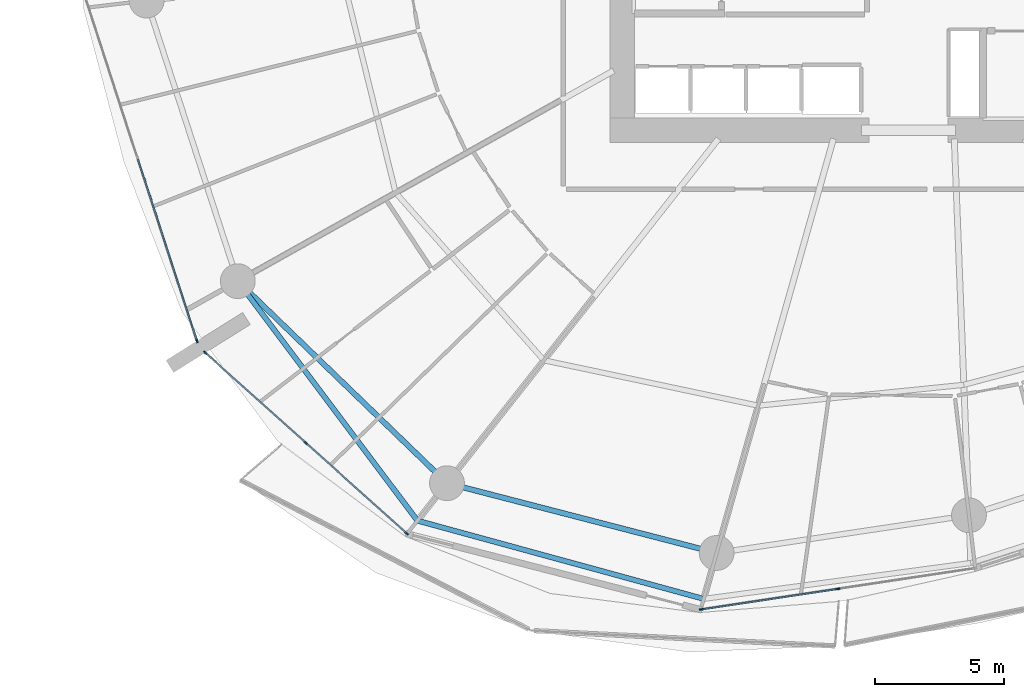
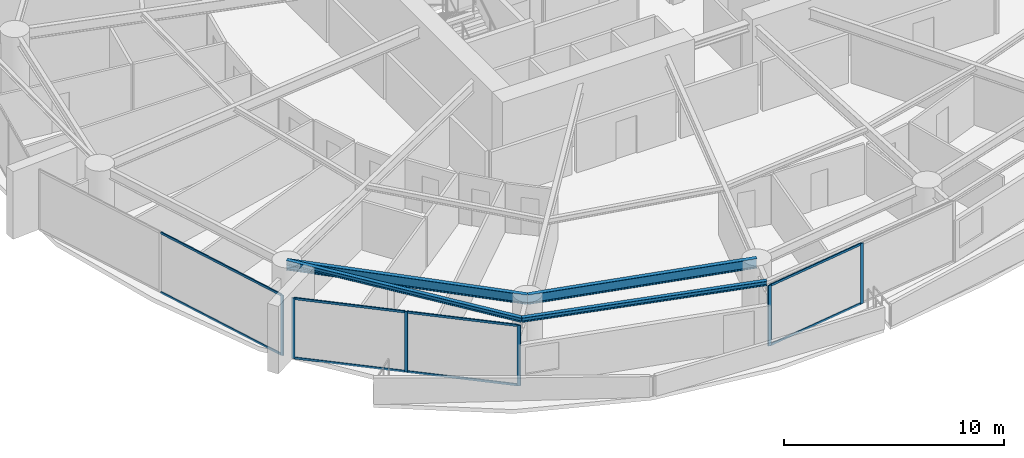
# One storey, part 6 of 31: 14 members, 4 beams, 3 elements without a shape of their own.
"""IFC4 building model written with IfcOpenShell, lengths in metres."""

from ifc_helpers import new_model, si_unit, direction, frame, origin, origin_2d, place, context, subcontext, project, spatial, rectangle, i_section, extrude, material, layer, layer_set, material_profile, profile_set, type_object, element, aggregate, save


model = new_model("IFC4")

# Units and contexts
model_context = context("Model", 3, precision=1e-05, world=origin(), true_north=direction((0.0, 1.0)))
body_context = subcontext(model_context, "Body", "Model", "MODEL_VIEW")
ifc_project = project(units=[si_unit("LENGTHUNIT", "METRE"), si_unit("AREAUNIT", "SQUARE_METRE"), si_unit("VOLUMEUNIT", "CUBIC_METRE"), si_unit("PLANEANGLEUNIT", "RADIAN"), si_unit("MASSUNIT", "GRAM", prefix="KILO")], contexts=[model_context])

# Site, building, storey
site_placement = place(None, origin())
site = spatial("IfcSite", under=ifc_project, at=site_placement, CompositionType="ELEMENT")
building_placement = place(site_placement, origin())
building = spatial("IfcBuilding", under=site, at=building_placement, Name="Kazma Halo Residences", CompositionType="ELEMENT")
storey_placement = place(building_placement, frame((0.0, 0.0, 67.64990234375)))
storey = spatial("IfcBuildingStorey", under=building, at=storey_placement, Name="L16", CompositionType="ELEMENT", Elevation=67.64990234375)

# Beams
ifc_material_1 = material(Name="Steel S355", Category="steel")
ifc_material_profile_1 = material_profile(ifc_material_1, i_section(OverallWidth=0.201904296875, OverallDepth=0.2470703125, WebThickness=0.00732421875, FlangeThickness=0.010986328125, FilletRadius=0.011962890625, at=origin_2d()), Name="W250x49.1")
ifc_profile_set_1 = profile_set([ifc_material_profile_1], Name="Steel S355")
beam_type_1 = type_object("IfcBeamType", Name="BM-BAL-CANT", PredefinedType="BEAM", material=ifc_profile_set_1)
beam_1_placement = place(storey_placement, frame((22.43505859375, 27.682861328125, 3.2265625), z_axis=(0.600026935007, -0.799979798037, 0.0), x_axis=(0.799979798037, 0.600026935007, 0.0)))
element("IfcBeam", 1, at=beam_1_placement, inside=storey, type_object=beam_type_1, Name="L16 wave-balcony lead tie beam 09", PredefinedType="BEAM", context=body_context, shape_type="SweptSolid", body=[
    extrude(i_section(OverallWidth=0.201904296875, OverallDepth=0.2470703125, WebThickness=0.00732421875, FlangeThickness=0.010986328125, FilletRadius=0.011962890625, at=origin_2d()), origin(), (0.0, 0.0, 1.0), 11.601806640625),
])
beam_2_placement = place(storey_placement, frame((29.396484375, 18.401611328125, 3.2265625), z_axis=(0.964628474934, -0.263613173697, 0.0), x_axis=(0.263613173697, 0.964628474934, 0.0)))
element("IfcBeam", 2, at=beam_2_placement, inside=storey, type_object=beam_type_1, Name="L16 wave-balcony tie beam 10", PredefinedType="BEAM", context=body_context, shape_type="SweptSolid", body=[
    extrude(i_section(OverallWidth=0.201904296875, OverallDepth=0.2470703125, WebThickness=0.00732421875, FlangeThickness=0.010986328125, FilletRadius=0.011962890625, at=origin_2d()), origin(), (0.0, 0.0, 1.0), 11.499755859375),
])
ifc_material_profile_2 = material_profile(ifc_material_1, i_section(OverallWidth=0.208984375, OverallDepth=0.532958984375, WebThickness=0.01025390625, FlangeThickness=0.015625, FilletRadius=0.01611328125, at=origin_2d()), Name="W530x92")
ifc_profile_set_2 = profile_set([ifc_material_profile_2], Name="Steel S355")
beam_type_2 = type_object("IfcBeamType", Name="BM-SPN-W530", PredefinedType="BEAM", material=ifc_profile_set_2)
beam_3_placement = place(storey_placement, frame((22.43505859375, 27.682861328125, 3.08349609375), z_axis=(0.719336506967, -0.694661780829, 0.0), x_axis=(0.694661780829, 0.719336506967, 0.0)))
element("IfcBeam", 3, at=beam_3_placement, inside=storey, type_object=beam_type_2, Name="L16 perimeter ring beam 09", PredefinedType="BEAM", context=body_context, shape_type="SweptSolid", body=[
    extrude(i_section(OverallWidth=0.208984375, OverallDepth=0.532958984375, WebThickness=0.01025390625, FlangeThickness=0.015625, FilletRadius=0.01611328125, at=origin_2d()), origin(), (0.0, 0.0, 1.0), 11.269775390625),
])
beam_4_placement = place(storey_placement, frame((30.541748046875, 19.854248046875, 3.08349609375), z_axis=(0.968123558238, -0.250473104313, 0.0), x_axis=(0.250473104313, 0.968123558238, 0.0)))
element("IfcBeam", 4, at=beam_4_placement, inside=storey, type_object=beam_type_2, Name="L16 perimeter ring beam 10", PredefinedType="BEAM", context=body_context, shape_type="SweptSolid", body=[
    extrude(i_section(OverallWidth=0.208984375, OverallDepth=0.532958984375, WebThickness=0.01025390625, FlangeThickness=0.015625, FilletRadius=0.01611328125, at=origin_2d()), origin(), (0.0, 0.0, 1.0), 10.7939453125),
])

# Curtain wall, member
ifc_material_2 = material(Name="Aluminium AW-6063 T6 and Triple-Silver Low-E Glass", Category="aluminium")
ifc_layer = layer(ifc_material_2, 0.159912109375)
ifc_layer_set = layer_set([ifc_layer], Name="Aluminium AW-6063 T6 and Triple-Silver Low-E Glass")
curtain_wall_type = type_object("IfcCurtainWallType", Name="CW-SYS-2", PredefinedType="NOTDEFINED", material=ifc_layer_set)
curtain_wall_1_placement = place(storey_placement, origin())
curtain_wall_1 = element("IfcCurtainWall", 5, at=curtain_wall_1_placement, inside=storey, type_object=curtain_wall_type, Name="L16 unitised curtain wall B08", PredefinedType="NOTDEFINED")
ifc_material_3 = material(Name="Aluminium AW-6063 T6", Category="aluminium")
ifc_material_profile_3 = material_profile(ifc_material_3, rectangle(XDim=0.06005859375, YDim=0.159912109375, at=origin_2d()), Name="CWM-60x160")
ifc_profile_set_3 = profile_set([ifc_material_profile_3], Name="Aluminium AW-6063 T6")
member_type_1 = type_object("IfcMemberType", Name="CW-SYS-2-MUL", PredefinedType="MULLION", material=ifc_profile_set_3)
member_1_placement = place(storey_placement, frame((20.854248046875, 25.36669921875, 0.0), z_axis=(0.0, 0.0, 1.0), x_axis=(0.95105652404, 0.309016970539, 0.0)))
member_1 = element("IfcMember", 6, at=member_1_placement, type_object=member_type_1, Name="CWS-2 mullion 3", PredefinedType="MULLION", context=body_context, shape_type="SweptSolid", body=[
    extrude(rectangle(XDim=0.06005859375, YDim=0.159912109375, at=origin_2d()), origin(), (0.0, 0.0, 1.0), 3.35009765625),
])

# Curtain wall, members
curtain_wall_2_placement = place(storey_placement, origin())
curtain_wall_2 = element("IfcCurtainWall", 7, at=curtain_wall_2_placement, inside=storey, type_object=curtain_wall_type, Name="L16 unitised curtain wall B09", PredefinedType="NOTDEFINED")
member_2_placement = place(storey_placement, frame((21.17333984375, 24.908203125, 0.0), z_axis=(0.0, 0.0, 1.0), x_axis=(0.667821453854, 0.744321506993, 0.0)))
member_2 = element("IfcMember", 8, at=member_2_placement, type_object=member_type_1, Name="CWS-2 mullion 1", PredefinedType="MULLION", context=body_context, shape_type="SweptSolid", body=[
    extrude(rectangle(XDim=0.06005859375, YDim=0.159912109375, at=origin_2d()), origin(), (0.0, 0.0, 1.0), 3.35009765625),
])
member_3_placement = place(storey_placement, frame((25.07275390625, 21.409912109375, 0.0), z_axis=(0.0, 0.0, 1.0), x_axis=(0.667821453854, 0.744321506993, 0.0)))
member_3 = element("IfcMember", 9, at=member_3_placement, type_object=member_type_1, Name="CWS-2 mullion 2", PredefinedType="MULLION", context=body_context, shape_type="SweptSolid", body=[
    extrude(rectangle(XDim=0.06005859375, YDim=0.159912109375, at=origin_2d()), origin(), (0.0, 0.0, 1.0), 3.35009765625),
])
member_4_placement = place(storey_placement, frame((28.971923828125, 17.911376953125, 0.0), z_axis=(0.0, 0.0, 1.0), x_axis=(0.667821453854, 0.744321506993, 0.0)))
member_4 = element("IfcMember", 10, at=member_4_placement, type_object=member_type_1, Name="CWS-2 mullion 3", PredefinedType="MULLION", context=body_context, shape_type="SweptSolid", body=[
    extrude(rectangle(XDim=0.06005859375, YDim=0.159912109375, at=origin_2d()), origin(), (0.0, 0.0, 1.0), 3.35009765625),
])

curtain_wall_3_placement = place(storey_placement, origin())
curtain_wall_3 = element("IfcCurtainWall", 11, at=curtain_wall_3_placement, inside=storey, type_object=curtain_wall_type, Name="L16 unitised curtain wall B11", PredefinedType="NOTDEFINED")
member_5_placement = place(storey_placement, frame((40.403076171875, 14.962158203125, 0.0), z_axis=(0.0, 0.0, 1.0), x_axis=(-0.148657272805, 0.988888777994, 0.0)))
member_5 = element("IfcMember", 12, at=member_5_placement, type_object=member_type_1, Name="CWS-2 mullion 1", PredefinedType="MULLION", context=body_context, shape_type="SweptSolid", body=[
    extrude(rectangle(XDim=0.06005859375, YDim=0.159912109375, at=origin_2d()), origin(), (0.0, 0.0, 1.0), 3.35009765625),
])
member_6_placement = place(storey_placement, frame((45.6923828125, 15.75732421875, 0.0), z_axis=(0.0, 0.0, 1.0), x_axis=(-0.148657272805, 0.988888777994, 0.0)))
member_6 = element("IfcMember", 13, at=member_6_placement, type_object=member_type_1, Name="CWS-2 mullion 2", PredefinedType="MULLION", context=body_context, shape_type="SweptSolid", body=[
    extrude(rectangle(XDim=0.06005859375, YDim=0.159912109375, at=origin_2d()), origin(), (0.0, 0.0, 1.0), 3.35009765625),
])

# Member
ifc_material_profile_4 = material_profile(ifc_material_3, rectangle(XDim=0.06005859375, YDim=0.1201171875, at=origin_2d()), Name="CWT-60x120")
ifc_profile_set_4 = profile_set([ifc_material_profile_4], Name="Aluminium AW-6063 T6")
member_type_2 = type_object("IfcMemberType", Name="CW-SYS-2-TRN", PredefinedType="USERDEFINED", material=ifc_profile_set_4)
member_7_placement = place(storey_placement, frame((18.5673828125, 32.4052734375, 0.030029296875), z_axis=(0.309004433966, -0.951060597328, 0.0), x_axis=(0.951060597328, 0.309004433966, 0.0)))
member_7 = element("IfcMember", 14, at=member_7_placement, type_object=member_type_2, Name="CWS-2 transom 2.1", ObjectType="TRANSOM", PredefinedType="USERDEFINED", context=body_context, shape_type="SweptSolid", body=[
    extrude(rectangle(XDim=0.06005859375, YDim=0.1201171875, at=origin_2d()), origin(), (0.0, 0.0, 1.0), 7.370849609375),
])

member_8_placement = place(storey_placement, frame((18.5673828125, 32.4052734375, 3.320068359375), z_axis=(0.309004433966, -0.951060597328, 0.0), x_axis=(0.951060597328, 0.309004433966, 0.0)))
member_8 = element("IfcMember", 15, at=member_8_placement, type_object=member_type_2, Name="CWS-2 transom 2.2", ObjectType="TRANSOM", PredefinedType="USERDEFINED", context=body_context, shape_type="SweptSolid", body=[
    extrude(rectangle(XDim=0.06005859375, YDim=0.1201171875, at=origin_2d()), origin(), (0.0, 0.0, 1.0), 7.370849609375),
])

aggregate(curtain_wall_1, [member_1, member_7, member_8])

member_9_placement = place(storey_placement, frame((21.19580078125, 24.88818359375, 0.030029296875), z_axis=(0.744329408538, -0.66781264707, 0.0), x_axis=(0.66781264707, 0.744329408538, 0.0)))
member_9 = element("IfcMember", 16, at=member_9_placement, type_object=member_type_2, Name="CWS-2 transom 1.1", ObjectType="TRANSOM", PredefinedType="USERDEFINED", context=body_context, shape_type="SweptSolid", body=[
    extrude(rectangle(XDim=0.06005859375, YDim=0.1201171875, at=origin_2d()), origin(), (0.0, 0.0, 1.0), 5.178466796875),
])

member_10_placement = place(storey_placement, frame((21.19580078125, 24.88818359375, 3.320068359375), z_axis=(0.744329408538, -0.66781264707, 0.0), x_axis=(0.66781264707, 0.744329408538, 0.0)))
member_10 = element("IfcMember", 17, at=member_10_placement, type_object=member_type_2, Name="CWS-2 transom 1.2", ObjectType="TRANSOM", PredefinedType="USERDEFINED", context=body_context, shape_type="SweptSolid", body=[
    extrude(rectangle(XDim=0.06005859375, YDim=0.1201171875, at=origin_2d()), origin(), (0.0, 0.0, 1.0), 5.178466796875),
])

member_11_placement = place(storey_placement, frame((25.094970703125, 21.3896484375, 0.030029296875), z_axis=(0.744329408538, -0.66781264707, 0.0), x_axis=(0.66781264707, 0.744329408538, 0.0)))
member_11 = element("IfcMember", 18, at=member_11_placement, type_object=member_type_2, Name="CWS-2 transom 2.1", ObjectType="TRANSOM", PredefinedType="USERDEFINED", context=body_context, shape_type="SweptSolid", body=[
    extrude(rectangle(XDim=0.06005859375, YDim=0.1201171875, at=origin_2d()), origin(), (0.0, 0.0, 1.0), 5.178466796875),
])

member_12_placement = place(storey_placement, frame((25.094970703125, 21.3896484375, 3.320068359375), z_axis=(0.744329408538, -0.66781264707, 0.0), x_axis=(0.66781264707, 0.744329408538, 0.0)))
member_12 = element("IfcMember", 19, at=member_12_placement, type_object=member_type_2, Name="CWS-2 transom 2.2", ObjectType="TRANSOM", PredefinedType="USERDEFINED", context=body_context, shape_type="SweptSolid", body=[
    extrude(rectangle(XDim=0.06005859375, YDim=0.1201171875, at=origin_2d()), origin(), (0.0, 0.0, 1.0), 5.178466796875),
])

aggregate(curtain_wall_2, [member_2, member_3, member_4, member_9, member_10, member_11, member_12])

member_13_placement = place(storey_placement, frame((40.4326171875, 14.966796875, 0.030029296875), z_axis=(0.988890934274, 0.148642928222, 0.0), x_axis=(-0.148642928222, 0.988890934274, 0.0)))
member_13 = element("IfcMember", 20, at=member_13_placement, type_object=member_type_2, Name="CWS-2 transom 1.1", ObjectType="TRANSOM", PredefinedType="USERDEFINED", context=body_context, shape_type="SweptSolid", body=[
    extrude(rectangle(XDim=0.06005859375, YDim=0.1201171875, at=origin_2d()), origin(), (0.0, 0.0, 1.0), 5.288818359375),
])

member_14_placement = place(storey_placement, frame((40.4326171875, 14.966796875, 3.320068359375), z_axis=(0.988890934274, 0.148642928222, 0.0), x_axis=(-0.148642928222, 0.988890934274, 0.0)))
member_14 = element("IfcMember", 21, at=member_14_placement, type_object=member_type_2, Name="CWS-2 transom 1.2", ObjectType="TRANSOM", PredefinedType="USERDEFINED", context=body_context, shape_type="SweptSolid", body=[
    extrude(rectangle(XDim=0.06005859375, YDim=0.1201171875, at=origin_2d()), origin(), (0.0, 0.0, 1.0), 5.288818359375),
])

aggregate(curtain_wall_3, [member_5, member_6, member_13, member_14])

save(model, "model.ifc")
